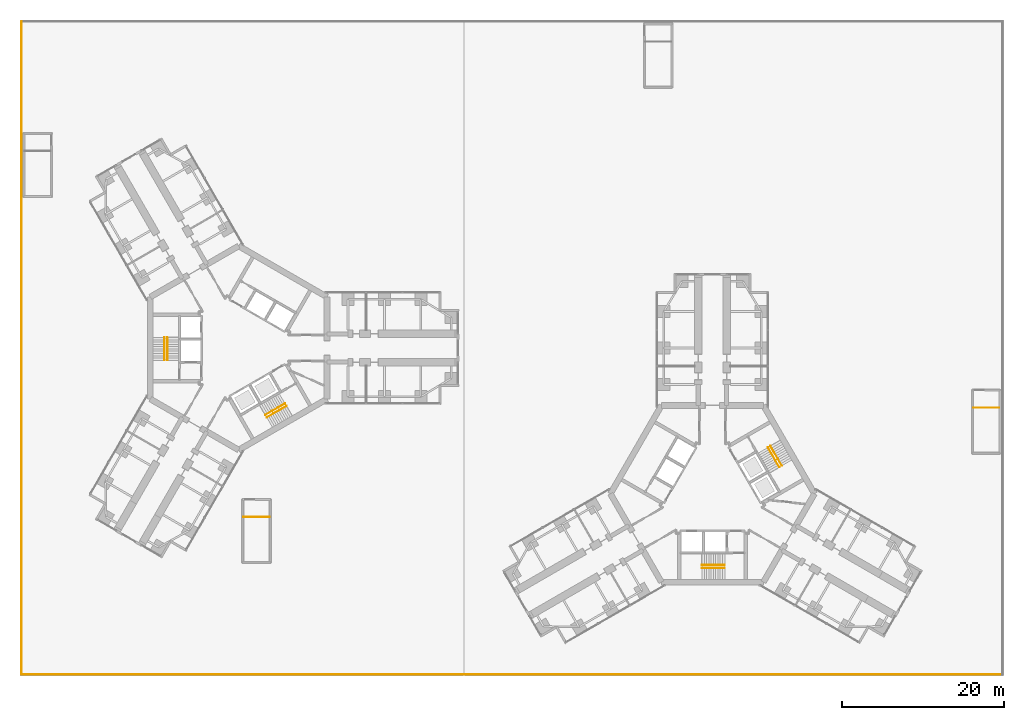
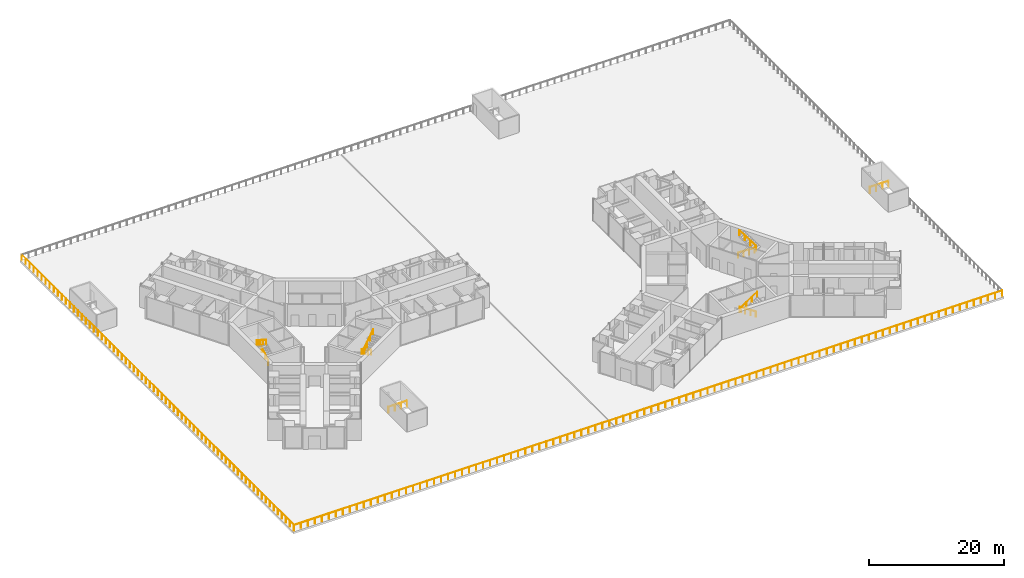
# One storey, part 21 of 23: 12 railings.
"""IFC4 building model written with IfcOpenShell, lengths in metres."""

from ifc_helpers import new_model, si_unit, direction, frame, origin, origin_2d, place, context, subcontext, project, spatial, circle, extrude, material, type_object, element, save


model = new_model("IFC4")

# Units and contexts
model_context = context("Model", 3, precision=1e-05, world=origin(), true_north=direction((0.0, 1.0)))
body_context = subcontext(model_context, "Body", "Model", "MODEL_VIEW")
ifc_project = project(units=[si_unit("LENGTHUNIT", "METRE"), si_unit("AREAUNIT", "SQUARE_METRE"), si_unit("VOLUMEUNIT", "CUBIC_METRE"), si_unit("PLANEANGLEUNIT", "RADIAN"), si_unit("MASSUNIT", "GRAM", prefix="KILO")], contexts=[model_context])

# Site, building, storey
site_placement = place(None, origin())
site = spatial("IfcSite", under=ifc_project, at=site_placement, CompositionType="ELEMENT")
building_placement = place(site_placement, origin())
building = spatial("IfcBuilding", under=site, at=building_placement, Name="Upepo Twin Towers", CompositionType="ELEMENT")
storey_placement = place(building_placement, frame((0.0, 0.0, 20.5)))
storey = spatial("IfcBuildingStorey", under=building, at=storey_placement, Name="L04", CompositionType="ELEMENT", Elevation=20.5)

# Railings
ifc_material_1 = material(Name="Stainless steel and glass", Category="steel")
railing_type_1 = type_object("IfcRailingType", Name="Guard 1100", PredefinedType="GUARDRAIL", material=ifc_material_1)
for number, where, name in (
    (1, (90.699951171875, -7.3798828125, 0.0), "PS2 head-house well guard"),
    (2, (0.60009765625, -20.8798828125, 0.0), "PS3 head-house well guard"),
):
    element("IfcRailing", number, at=place(storey_placement, frame(where)), inside=storey, type_object=railing_type_1, Name=name, PredefinedType="GUARDRAIL", context=body_context, shape_type="SweptSolid", body=[
        extrude(circle(Radius=0.02392578125, at=origin_2d()), frame((0.0, 0.0, 1.076171875), z_axis=(1.0, 0.0, 0.0), x_axis=(0.0, 1.0, 0.0)), (0.0, 0.0, 1.0), 3.199951171875),
        extrude(circle(Radius=0.02099609375, at=origin_2d()), origin(), (0.0, 0.0, 1.0), 1.052001953125),
        extrude(circle(Radius=0.02099609375, at=origin_2d()), frame((1.066650390625, 0.0, 0.0)), (0.0, 0.0, 1.0), 1.052001953125),
        extrude(circle(Radius=0.02099609375, at=origin_2d()), frame((2.13330078125, 0.0, 0.0)), (0.0, 0.0, 1.0), 1.052001953125),
        extrude(circle(Radius=0.02099609375, at=origin_2d()), frame((3.199951171875, 0.0, 0.0)), (0.0, 0.0, 1.0), 1.052001953125),
    ])
ifc_material_2 = material(Name="Stainless steel", Category="steel")
railing_type_2 = type_object("IfcRailingType", Name="Stair handrail 900", PredefinedType="HANDRAIL", material=ifc_material_2)
railing_1_placement = place(storey_placement, frame((-8.800048828125, -1.52001953125, 0.181884765625)))
element("IfcRailing", 3, at=railing_1_placement, inside=storey, type_object=railing_type_2, Name="T1 stair S1 L04 handrail 1", PredefinedType="HANDRAIL", context=body_context, shape_type="SweptSolid", body=[
    extrude(circle(Radius=0.02392578125, at=origin_2d()), frame((0.0, 0.0, 0.8759765625), z_axis=(0.0, 0.838705829183, 0.544584733623), x_axis=(-1.0, 0.0, 0.0)), (0.0, 0.0, 1.0), 3.338623046875),
    extrude(circle(Radius=0.02099609375, at=origin_2d()), origin(), (0.0, 0.0, 1.0), 0.851806640625),
    extrude(circle(Radius=0.02099609375, at=origin_2d()), frame((0.0, 0.933349609375, 0.60595703125)), (0.0, 0.0, 1.0), 0.851806640625),
    extrude(circle(Radius=0.02099609375, at=origin_2d()), frame((0.0, 1.86669921875, 1.212158203125)), (0.0, 0.0, 1.0), 0.851806640625),
    extrude(circle(Radius=0.02099609375, at=origin_2d()), frame((0.0, 2.800048828125, 1.818115234375)), (0.0, 0.0, 1.0), 0.851806640625),
])
railing_2_placement = place(storey_placement, frame((-9.158447265625, 1.280029296875, 2.181884765625)))
element("IfcRailing", 4, at=railing_2_placement, inside=storey, type_object=railing_type_2, Name="T1 stair S1 L04 handrail 2", PredefinedType="HANDRAIL", context=body_context, shape_type="SweptSolid", body=[
    extrude(circle(Radius=0.02392578125, at=origin_2d()), frame((0.0, 0.0, 0.8759765625), z_axis=(0.0, -0.838705829183, 0.544584733623), x_axis=(1.0, 0.0, 0.0)), (0.0, 0.0, 1.0), 3.338623046875),
    extrude(circle(Radius=0.02099609375, at=origin_2d()), origin(), (0.0, 0.0, 1.0), 0.851806640625),
    extrude(circle(Radius=0.02099609375, at=origin_2d()), frame((0.0, -0.933349609375, 0.60595703125)), (0.0, 0.0, 1.0), 0.851806640625),
    extrude(circle(Radius=0.02099609375, at=origin_2d()), frame((0.0, -1.86669921875, 1.212158203125)), (0.0, 0.0, 1.0), 0.851806640625),
    extrude(circle(Radius=0.02099609375, at=origin_2d()), frame((0.0, -2.800048828125, 1.818115234375)), (0.0, 0.0, 1.0), 0.851806640625),
])
railing_3_placement = place(storey_placement, frame((5.71630859375, -6.861083984375, 0.181884765625)))
element("IfcRailing", 5, at=railing_3_placement, inside=storey, type_object=railing_type_2, Name="T1 stair S2 L04 handrail 1", PredefinedType="HANDRAIL", context=body_context, shape_type="SweptSolid", body=[
    extrude(circle(Radius=0.02392578125, at=origin_2d()), frame((0.0, 0.0, 0.8759765625), z_axis=(-0.726336304947, -0.419332699614, 0.544605966869), x_axis=(0.49998411664, -0.866034573852, 0.0)), (0.0, 0.0, 1.0), 3.33837890625),
    extrude(circle(Radius=0.02099609375, at=origin_2d()), origin(), (0.0, 0.0, 1.0), 0.851806640625),
    extrude(circle(Radius=0.02099609375, at=origin_2d()), frame((-0.808349609375, -0.466552734375, 0.60595703125)), (0.0, 0.0, 1.0), 0.851806640625),
    extrude(circle(Radius=0.02099609375, at=origin_2d()), frame((-1.616455078125, -0.933349609375, 1.212158203125)), (0.0, 0.0, 1.0), 0.851806640625),
    extrude(circle(Radius=0.02099609375, at=origin_2d()), frame((-2.4248046875, -1.39990234375, 1.818115234375)), (0.0, 0.0, 1.0), 0.851806640625),
])
railing_4_placement = place(storey_placement, frame((3.470703125, -8.5712890625, 2.181884765625)))
element("IfcRailing", 6, at=railing_4_placement, inside=storey, type_object=railing_type_2, Name="T1 stair S2 L04 handrail 2", PredefinedType="HANDRAIL", context=body_context, shape_type="SweptSolid", body=[
    extrude(circle(Radius=0.02392578125, at=origin_2d()), frame((0.0, 0.0, 0.8759765625), z_axis=(0.726336304947, 0.419332699614, 0.544605966869), x_axis=(-0.49998411664, 0.866034573852, 0.0)), (0.0, 0.0, 1.0), 3.33837890625),
    extrude(circle(Radius=0.02099609375, at=origin_2d()), origin(), (0.0, 0.0, 1.0), 0.851806640625),
    extrude(circle(Radius=0.02099609375, at=origin_2d()), frame((0.808349609375, 0.466552734375, 0.60595703125)), (0.0, 0.0, 1.0), 0.851806640625),
    extrude(circle(Radius=0.02099609375, at=origin_2d()), frame((1.616455078125, 0.933349609375, 1.212158203125)), (0.0, 0.0, 1.0), 0.851806640625),
    extrude(circle(Radius=0.02099609375, at=origin_2d()), frame((2.4248046875, 1.39990234375, 1.818115234375)), (0.0, 0.0, 1.0), 0.851806640625),
])
railing_5_placement = place(storey_placement, frame((60.02001953125, -26.800048828125, 0.181884765625)))
element("IfcRailing", 7, at=railing_5_placement, inside=storey, type_object=railing_type_2, Name="T2 stair S1 L04 handrail 1", PredefinedType="HANDRAIL", context=body_context, shape_type="SweptSolid", body=[
    extrude(circle(Radius=0.02392578125, at=origin_2d()), frame((0.0, 0.0, 0.8759765625), z_axis=(-0.838705829183, 0.0, 0.544584733623), x_axis=(0.0, -1.0, 0.0)), (0.0, 0.0, 1.0), 3.338623046875),
    extrude(circle(Radius=0.02099609375, at=origin_2d()), origin(), (0.0, 0.0, 1.0), 0.851806640625),
    extrude(circle(Radius=0.02099609375, at=origin_2d()), frame((-0.933349609375, 0.0, 0.60595703125)), (0.0, 0.0, 1.0), 0.851806640625),
    extrude(circle(Radius=0.02099609375, at=origin_2d()), frame((-1.86669921875, 0.0, 1.212158203125)), (0.0, 0.0, 1.0), 0.851806640625),
    extrude(circle(Radius=0.02099609375, at=origin_2d()), frame((-2.800048828125, 0.0, 1.818115234375)), (0.0, 0.0, 1.0), 0.851806640625),
])
railing_6_placement = place(storey_placement, frame((57.219970703125, -27.158447265625, 2.181884765625)))
element("IfcRailing", 8, at=railing_6_placement, inside=storey, type_object=railing_type_2, Name="T2 stair S1 L04 handrail 2", PredefinedType="HANDRAIL", context=body_context, shape_type="SweptSolid", body=[
    extrude(circle(Radius=0.02392578125, at=origin_2d()), frame((0.0, 0.0, 0.8759765625), z_axis=(0.838705829183, 0.0, 0.544584733623), x_axis=(0.0, 1.0, 0.0)), (0.0, 0.0, 1.0), 3.338623046875),
    extrude(circle(Radius=0.02099609375, at=origin_2d()), origin(), (0.0, 0.0, 1.0), 0.851806640625),
    extrude(circle(Radius=0.02099609375, at=origin_2d()), frame((0.933349609375, 0.0, 0.60595703125)), (0.0, 0.0, 1.0), 0.851806640625),
    extrude(circle(Radius=0.02099609375, at=origin_2d()), frame((1.86669921875, 0.0, 1.212158203125)), (0.0, 0.0, 1.0), 0.851806640625),
    extrude(circle(Radius=0.02099609375, at=origin_2d()), frame((2.800048828125, 0.0, 1.818115234375)), (0.0, 0.0, 1.0), 0.851806640625),
])
railing_7_placement = place(storey_placement, frame((65.361083984375, -12.28369140625, 0.181884765625)))
element("IfcRailing", 9, at=railing_7_placement, inside=storey, type_object=railing_type_2, Name="T2 stair S2 L04 handrail 1", PredefinedType="HANDRAIL", context=body_context, shape_type="SweptSolid", body=[
    extrude(circle(Radius=0.02392578125, at=origin_2d()), frame((0.0, 0.0, 0.8759765625), z_axis=(0.419332699614, -0.726336304947, 0.544605966869), x_axis=(0.866034573852, 0.49998411664, 0.0)), (0.0, 0.0, 1.0), 3.33837890625),
    extrude(circle(Radius=0.02099609375, at=origin_2d()), origin(), (0.0, 0.0, 1.0), 0.851806640625),
    extrude(circle(Radius=0.02099609375, at=origin_2d()), frame((0.466552734375, -0.808349609375, 0.60595703125)), (0.0, 0.0, 1.0), 0.851806640625),
    extrude(circle(Radius=0.02099609375, at=origin_2d()), frame((0.933349609375, -1.616455078125, 1.212158203125)), (0.0, 0.0, 1.0), 0.851806640625),
    extrude(circle(Radius=0.02099609375, at=origin_2d()), frame((1.39990234375, -2.4248046875, 1.818115234375)), (0.0, 0.0, 1.0), 0.851806640625),
])
railing_8_placement = place(storey_placement, frame((67.0712890625, -14.529296875, 2.181884765625)))
element("IfcRailing", 10, at=railing_8_placement, inside=storey, type_object=railing_type_2, Name="T2 stair S2 L04 handrail 2", PredefinedType="HANDRAIL", context=body_context, shape_type="SweptSolid", body=[
    extrude(circle(Radius=0.02392578125, at=origin_2d()), frame((0.0, 0.0, 0.8759765625), z_axis=(-0.419332699614, 0.726336304947, 0.544605966869), x_axis=(-0.866034573852, -0.49998411664, 0.0)), (0.0, 0.0, 1.0), 3.33837890625),
    extrude(circle(Radius=0.02099609375, at=origin_2d()), origin(), (0.0, 0.0, 1.0), 0.851806640625),
    extrude(circle(Radius=0.02099609375, at=origin_2d()), frame((-0.466552734375, 0.808349609375, 0.60595703125)), (0.0, 0.0, 1.0), 0.851806640625),
    extrude(circle(Radius=0.02099609375, at=origin_2d()), frame((-0.933349609375, 1.616455078125, 1.212158203125)), (0.0, 0.0, 1.0), 0.851806640625),
    extrude(circle(Radius=0.02099609375, at=origin_2d()), frame((-1.39990234375, 2.4248046875, 1.818115234375)), (0.0, 0.0, 1.0), 0.851806640625),
])
ifc_material_3 = material(Name="Stainless steel and laminated glass", Category="steel")
railing_type_3 = type_object("IfcRailingType", Name="Terrace guard 1100 glass", PredefinedType="GUARDRAIL", material=ifc_material_3)
railing_9_placement = place(storey_placement, frame((-26.800048828125, -40.300048828125, 0.0)))
element("IfcRailing", 11, at=railing_9_placement, inside=storey, type_object=railing_type_3, Name="Podium roof guard S", PredefinedType="GUARDRAIL", context=body_context, shape_type="SweptSolid", body=[
    extrude(circle(Radius=0.02392578125, at=origin_2d()), frame((0.0, 0.0, 1.076171875), z_axis=(1.0, 0.0, 0.0), x_axis=(0.0, 1.0, 0.0)), (0.0, 0.0, 1.0), 121.10009765625),
    extrude(circle(Radius=0.02099609375, at=origin_2d()), origin(), (0.0, 0.0, 1.0), 1.052001953125),
    extrude(circle(Radius=0.02099609375, at=origin_2d()), frame((1.198974609375, 0.0, 0.0)), (0.0, 0.0, 1.0), 1.052001953125),
    extrude(circle(Radius=0.02099609375, at=origin_2d()), frame((2.39794921875, 0.0, 0.0)), (0.0, 0.0, 1.0), 1.052001953125),
    extrude(circle(Radius=0.02099609375, at=origin_2d()), frame((3.596923828125, 0.0, 0.0)), (0.0, 0.0, 1.0), 1.052001953125),
    extrude(circle(Radius=0.02099609375, at=origin_2d()), frame((4.796142578125, 0.0, 0.0)), (0.0, 0.0, 1.0), 1.052001953125),
    extrude(circle(Radius=0.02099609375, at=origin_2d()), frame((5.9951171875, 0.0, 0.0)), (0.0, 0.0, 1.0), 1.052001953125),
    extrude(circle(Radius=0.02099609375, at=origin_2d()), frame((7.194091796875, 0.0, 0.0)), (0.0, 0.0, 1.0), 1.052001953125),
    extrude(circle(Radius=0.02099609375, at=origin_2d()), frame((8.39306640625, 0.0, 0.0)), (0.0, 0.0, 1.0), 1.052001953125),
    extrude(circle(Radius=0.02099609375, at=origin_2d()), frame((9.592041015625, 0.0, 0.0)), (0.0, 0.0, 1.0), 1.052001953125),
    extrude(circle(Radius=0.02099609375, at=origin_2d()), frame((10.791015625, 0.0, 0.0)), (0.0, 0.0, 1.0), 1.052001953125),
    extrude(circle(Radius=0.02099609375, at=origin_2d()), frame((11.989990234375, 0.0, 0.0)), (0.0, 0.0, 1.0), 1.052001953125),
    extrude(circle(Radius=0.02099609375, at=origin_2d()), frame((13.189208984375, 0.0, 0.0)), (0.0, 0.0, 1.0), 1.052001953125),
    extrude(circle(Radius=0.02099609375, at=origin_2d()), frame((14.38818359375, 0.0, 0.0)), (0.0, 0.0, 1.0), 1.052001953125),
    extrude(circle(Radius=0.02099609375, at=origin_2d()), frame((15.587158203125, 0.0, 0.0)), (0.0, 0.0, 1.0), 1.052001953125),
    extrude(circle(Radius=0.02099609375, at=origin_2d()), frame((16.7861328125, 0.0, 0.0)), (0.0, 0.0, 1.0), 1.052001953125),
    extrude(circle(Radius=0.02099609375, at=origin_2d()), frame((17.985107421875, 0.0, 0.0)), (0.0, 0.0, 1.0), 1.052001953125),
    extrude(circle(Radius=0.02099609375, at=origin_2d()), frame((19.18408203125, 0.0, 0.0)), (0.0, 0.0, 1.0), 1.052001953125),
    extrude(circle(Radius=0.02099609375, at=origin_2d()), frame((20.38330078125, 0.0, 0.0)), (0.0, 0.0, 1.0), 1.052001953125),
    extrude(circle(Radius=0.02099609375, at=origin_2d()), frame((21.582275390625, 0.0, 0.0)), (0.0, 0.0, 1.0), 1.052001953125),
    extrude(circle(Radius=0.02099609375, at=origin_2d()), frame((22.78125, 0.0, 0.0)), (0.0, 0.0, 1.0), 1.052001953125),
    extrude(circle(Radius=0.02099609375, at=origin_2d()), frame((23.980224609375, 0.0, 0.0)), (0.0, 0.0, 1.0), 1.052001953125),
    extrude(circle(Radius=0.02099609375, at=origin_2d()), frame((25.17919921875, 0.0, 0.0)), (0.0, 0.0, 1.0), 1.052001953125),
    extrude(circle(Radius=0.02099609375, at=origin_2d()), frame((26.378173828125, 0.0, 0.0)), (0.0, 0.0, 1.0), 1.052001953125),
    extrude(circle(Radius=0.02099609375, at=origin_2d()), frame((27.5771484375, 0.0, 0.0)), (0.0, 0.0, 1.0), 1.052001953125),
    extrude(circle(Radius=0.02099609375, at=origin_2d()), frame((28.7763671875, 0.0, 0.0)), (0.0, 0.0, 1.0), 1.052001953125),
    extrude(circle(Radius=0.02099609375, at=origin_2d()), frame((29.975341796875, 0.0, 0.0)), (0.0, 0.0, 1.0), 1.052001953125),
    extrude(circle(Radius=0.02099609375, at=origin_2d()), frame((31.17431640625, 0.0, 0.0)), (0.0, 0.0, 1.0), 1.052001953125),
    extrude(circle(Radius=0.02099609375, at=origin_2d()), frame((32.373291015625, 0.0, 0.0)), (0.0, 0.0, 1.0), 1.052001953125),
    extrude(circle(Radius=0.02099609375, at=origin_2d()), frame((33.572265625, 0.0, 0.0)), (0.0, 0.0, 1.0), 1.052001953125),
    extrude(circle(Radius=0.02099609375, at=origin_2d()), frame((34.771240234375, 0.0, 0.0)), (0.0, 0.0, 1.0), 1.052001953125),
    extrude(circle(Radius=0.02099609375, at=origin_2d()), frame((35.97021484375, 0.0, 0.0)), (0.0, 0.0, 1.0), 1.052001953125),
    extrude(circle(Radius=0.02099609375, at=origin_2d()), frame((37.16943359375, 0.0, 0.0)), (0.0, 0.0, 1.0), 1.052001953125),
    extrude(circle(Radius=0.02099609375, at=origin_2d()), frame((38.368408203125, 0.0, 0.0)), (0.0, 0.0, 1.0), 1.052001953125),
    extrude(circle(Radius=0.02099609375, at=origin_2d()), frame((39.5673828125, 0.0, 0.0)), (0.0, 0.0, 1.0), 1.052001953125),
    extrude(circle(Radius=0.02099609375, at=origin_2d()), frame((40.766357421875, 0.0, 0.0)), (0.0, 0.0, 1.0), 1.052001953125),
    extrude(circle(Radius=0.02099609375, at=origin_2d()), frame((41.96533203125, 0.0, 0.0)), (0.0, 0.0, 1.0), 1.052001953125),
    extrude(circle(Radius=0.02099609375, at=origin_2d()), frame((43.164306640625, 0.0, 0.0)), (0.0, 0.0, 1.0), 1.052001953125),
    extrude(circle(Radius=0.02099609375, at=origin_2d()), frame((44.36328125, 0.0, 0.0)), (0.0, 0.0, 1.0), 1.052001953125),
    extrude(circle(Radius=0.02099609375, at=origin_2d()), frame((45.5625, 0.0, 0.0)), (0.0, 0.0, 1.0), 1.052001953125),
    extrude(circle(Radius=0.02099609375, at=origin_2d()), frame((46.761474609375, 0.0, 0.0)), (0.0, 0.0, 1.0), 1.052001953125),
    extrude(circle(Radius=0.02099609375, at=origin_2d()), frame((47.96044921875, 0.0, 0.0)), (0.0, 0.0, 1.0), 1.052001953125),
    extrude(circle(Radius=0.02099609375, at=origin_2d()), frame((49.159423828125, 0.0, 0.0)), (0.0, 0.0, 1.0), 1.052001953125),
    extrude(circle(Radius=0.02099609375, at=origin_2d()), frame((50.3583984375, 0.0, 0.0)), (0.0, 0.0, 1.0), 1.052001953125),
    extrude(circle(Radius=0.02099609375, at=origin_2d()), frame((51.557373046875, 0.0, 0.0)), (0.0, 0.0, 1.0), 1.052001953125),
    extrude(circle(Radius=0.02099609375, at=origin_2d()), frame((52.756591796875, 0.0, 0.0)), (0.0, 0.0, 1.0), 1.052001953125),
    extrude(circle(Radius=0.02099609375, at=origin_2d()), frame((53.95556640625, 0.0, 0.0)), (0.0, 0.0, 1.0), 1.052001953125),
    extrude(circle(Radius=0.02099609375, at=origin_2d()), frame((55.154541015625, 0.0, 0.0)), (0.0, 0.0, 1.0), 1.052001953125),
    extrude(circle(Radius=0.02099609375, at=origin_2d()), frame((56.353515625, 0.0, 0.0)), (0.0, 0.0, 1.0), 1.052001953125),
    extrude(circle(Radius=0.02099609375, at=origin_2d()), frame((57.552490234375, 0.0, 0.0)), (0.0, 0.0, 1.0), 1.052001953125),
    extrude(circle(Radius=0.02099609375, at=origin_2d()), frame((58.75146484375, 0.0, 0.0)), (0.0, 0.0, 1.0), 1.052001953125),
    extrude(circle(Radius=0.02099609375, at=origin_2d()), frame((59.950439453125, 0.0, 0.0)), (0.0, 0.0, 1.0), 1.052001953125),
    extrude(circle(Radius=0.02099609375, at=origin_2d()), frame((61.149658203125, 0.0, 0.0)), (0.0, 0.0, 1.0), 1.052001953125),
    extrude(circle(Radius=0.02099609375, at=origin_2d()), frame((62.3486328125, 0.0, 0.0)), (0.0, 0.0, 1.0), 1.052001953125),
    extrude(circle(Radius=0.02099609375, at=origin_2d()), frame((63.547607421875, 0.0, 0.0)), (0.0, 0.0, 1.0), 1.052001953125),
    extrude(circle(Radius=0.02099609375, at=origin_2d()), frame((64.74658203125, 0.0, 0.0)), (0.0, 0.0, 1.0), 1.052001953125),
    extrude(circle(Radius=0.02099609375, at=origin_2d()), frame((65.945556640625, 0.0, 0.0)), (0.0, 0.0, 1.0), 1.052001953125),
    extrude(circle(Radius=0.02099609375, at=origin_2d()), frame((67.14453125, 0.0, 0.0)), (0.0, 0.0, 1.0), 1.052001953125),
    extrude(circle(Radius=0.02099609375, at=origin_2d()), frame((68.343505859375, 0.0, 0.0)), (0.0, 0.0, 1.0), 1.052001953125),
    extrude(circle(Radius=0.02099609375, at=origin_2d()), frame((69.542724609375, 0.0, 0.0)), (0.0, 0.0, 1.0), 1.052001953125),
    extrude(circle(Radius=0.02099609375, at=origin_2d()), frame((70.74169921875, 0.0, 0.0)), (0.0, 0.0, 1.0), 1.052001953125),
    extrude(circle(Radius=0.02099609375, at=origin_2d()), frame((71.940673828125, 0.0, 0.0)), (0.0, 0.0, 1.0), 1.052001953125),
    extrude(circle(Radius=0.02099609375, at=origin_2d()), frame((73.1396484375, 0.0, 0.0)), (0.0, 0.0, 1.0), 1.052001953125),
    extrude(circle(Radius=0.02099609375, at=origin_2d()), frame((74.338623046875, 0.0, 0.0)), (0.0, 0.0, 1.0), 1.052001953125),
    extrude(circle(Radius=0.02099609375, at=origin_2d()), frame((75.53759765625, 0.0, 0.0)), (0.0, 0.0, 1.0), 1.052001953125),
    extrude(circle(Radius=0.02099609375, at=origin_2d()), frame((76.73681640625, 0.0, 0.0)), (0.0, 0.0, 1.0), 1.052001953125),
    extrude(circle(Radius=0.02099609375, at=origin_2d()), frame((77.935791015625, 0.0, 0.0)), (0.0, 0.0, 1.0), 1.052001953125),
    extrude(circle(Radius=0.02099609375, at=origin_2d()), frame((79.134765625, 0.0, 0.0)), (0.0, 0.0, 1.0), 1.052001953125),
    extrude(circle(Radius=0.02099609375, at=origin_2d()), frame((80.333740234375, 0.0, 0.0)), (0.0, 0.0, 1.0), 1.052001953125),
    extrude(circle(Radius=0.02099609375, at=origin_2d()), frame((81.53271484375, 0.0, 0.0)), (0.0, 0.0, 1.0), 1.052001953125),
    extrude(circle(Radius=0.02099609375, at=origin_2d()), frame((82.731689453125, 0.0, 0.0)), (0.0, 0.0, 1.0), 1.052001953125),
    extrude(circle(Radius=0.02099609375, at=origin_2d()), frame((83.9306640625, 0.0, 0.0)), (0.0, 0.0, 1.0), 1.052001953125),
    extrude(circle(Radius=0.02099609375, at=origin_2d()), frame((85.1298828125, 0.0, 0.0)), (0.0, 0.0, 1.0), 1.052001953125),
    extrude(circle(Radius=0.02099609375, at=origin_2d()), frame((86.328857421875, 0.0, 0.0)), (0.0, 0.0, 1.0), 1.052001953125),
    extrude(circle(Radius=0.02099609375, at=origin_2d()), frame((87.52783203125, 0.0, 0.0)), (0.0, 0.0, 1.0), 1.052001953125),
    extrude(circle(Radius=0.02099609375, at=origin_2d()), frame((88.726806640625, 0.0, 0.0)), (0.0, 0.0, 1.0), 1.052001953125),
    extrude(circle(Radius=0.02099609375, at=origin_2d()), frame((89.92578125, 0.0, 0.0)), (0.0, 0.0, 1.0), 1.052001953125),
    extrude(circle(Radius=0.02099609375, at=origin_2d()), frame((91.124755859375, 0.0, 0.0)), (0.0, 0.0, 1.0), 1.052001953125),
    extrude(circle(Radius=0.02099609375, at=origin_2d()), frame((92.32373046875, 0.0, 0.0)), (0.0, 0.0, 1.0), 1.052001953125),
    extrude(circle(Radius=0.02099609375, at=origin_2d()), frame((93.52294921875, 0.0, 0.0)), (0.0, 0.0, 1.0), 1.052001953125),
    extrude(circle(Radius=0.02099609375, at=origin_2d()), frame((94.721923828125, 0.0, 0.0)), (0.0, 0.0, 1.0), 1.052001953125),
    extrude(circle(Radius=0.02099609375, at=origin_2d()), frame((95.9208984375, 0.0, 0.0)), (0.0, 0.0, 1.0), 1.052001953125),
    extrude(circle(Radius=0.02099609375, at=origin_2d()), frame((97.119873046875, 0.0, 0.0)), (0.0, 0.0, 1.0), 1.052001953125),
    extrude(circle(Radius=0.02099609375, at=origin_2d()), frame((98.31884765625, 0.0, 0.0)), (0.0, 0.0, 1.0), 1.052001953125),
    extrude(circle(Radius=0.02099609375, at=origin_2d()), frame((99.517822265625, 0.0, 0.0)), (0.0, 0.0, 1.0), 1.052001953125),
    extrude(circle(Radius=0.02099609375, at=origin_2d()), frame((100.716796875, 0.0, 0.0)), (0.0, 0.0, 1.0), 1.052001953125),
    extrude(circle(Radius=0.02099609375, at=origin_2d()), frame((101.916015625, 0.0, 0.0)), (0.0, 0.0, 1.0), 1.052001953125),
    extrude(circle(Radius=0.02099609375, at=origin_2d()), frame((103.114990234375, 0.0, 0.0)), (0.0, 0.0, 1.0), 1.052001953125),
    extrude(circle(Radius=0.02099609375, at=origin_2d()), frame((104.31396484375, 0.0, 0.0)), (0.0, 0.0, 1.0), 1.052001953125),
    extrude(circle(Radius=0.02099609375, at=origin_2d()), frame((105.512939453125, 0.0, 0.0)), (0.0, 0.0, 1.0), 1.052001953125),
    extrude(circle(Radius=0.02099609375, at=origin_2d()), frame((106.7119140625, 0.0, 0.0)), (0.0, 0.0, 1.0), 1.052001953125),
    extrude(circle(Radius=0.02099609375, at=origin_2d()), frame((107.910888671875, 0.0, 0.0)), (0.0, 0.0, 1.0), 1.052001953125),
    extrude(circle(Radius=0.02099609375, at=origin_2d()), frame((109.110107421875, 0.0, 0.0)), (0.0, 0.0, 1.0), 1.052001953125),
    extrude(circle(Radius=0.02099609375, at=origin_2d()), frame((110.30908203125, 0.0, 0.0)), (0.0, 0.0, 1.0), 1.052001953125),
    extrude(circle(Radius=0.02099609375, at=origin_2d()), frame((111.508056640625, 0.0, 0.0)), (0.0, 0.0, 1.0), 1.052001953125),
    extrude(circle(Radius=0.02099609375, at=origin_2d()), frame((112.70703125, 0.0, 0.0)), (0.0, 0.0, 1.0), 1.052001953125),
    extrude(circle(Radius=0.02099609375, at=origin_2d()), frame((113.906005859375, 0.0, 0.0)), (0.0, 0.0, 1.0), 1.052001953125),
    extrude(circle(Radius=0.02099609375, at=origin_2d()), frame((115.10498046875, 0.0, 0.0)), (0.0, 0.0, 1.0), 1.052001953125),
    extrude(circle(Radius=0.02099609375, at=origin_2d()), frame((116.303955078125, 0.0, 0.0)), (0.0, 0.0, 1.0), 1.052001953125),
    extrude(circle(Radius=0.02099609375, at=origin_2d()), frame((117.503173828125, 0.0, 0.0)), (0.0, 0.0, 1.0), 1.052001953125),
    extrude(circle(Radius=0.02099609375, at=origin_2d()), frame((118.7021484375, 0.0, 0.0)), (0.0, 0.0, 1.0), 1.052001953125),
    extrude(circle(Radius=0.02099609375, at=origin_2d()), frame((119.901123046875, 0.0, 0.0)), (0.0, 0.0, 1.0), 1.052001953125),
    extrude(circle(Radius=0.02099609375, at=origin_2d()), frame((121.10009765625, 0.0, 0.0)), (0.0, 0.0, 1.0), 1.052001953125),
])
railing_10_placement = place(storey_placement, frame((-26.800048828125, 40.300048828125, 0.0)))
element("IfcRailing", 12, at=railing_10_placement, inside=storey, type_object=railing_type_3, Name="Podium roof guard W", PredefinedType="GUARDRAIL", context=body_context, shape_type="SweptSolid", body=[
    extrude(circle(Radius=0.02392578125, at=origin_2d()), frame((0.0, 0.0, 1.076171875), z_axis=(0.0, -1.0, 0.0), x_axis=(1.0, 0.0, 0.0)), (0.0, 0.0, 1.0), 80.60009765625),
    extrude(circle(Radius=0.02099609375, at=origin_2d()), origin(), (0.0, 0.0, 1.0), 1.052001953125),
    extrude(circle(Radius=0.02099609375, at=origin_2d()), frame((0.0, -1.185302734375, 0.0)), (0.0, 0.0, 1.0), 1.052001953125),
    extrude(circle(Radius=0.02099609375, at=origin_2d()), frame((0.0, -2.37060546875, 0.0)), (0.0, 0.0, 1.0), 1.052001953125),
    extrude(circle(Radius=0.02099609375, at=origin_2d()), frame((0.0, -3.555908203125, 0.0)), (0.0, 0.0, 1.0), 1.052001953125),
    extrude(circle(Radius=0.02099609375, at=origin_2d()), frame((0.0, -4.7412109375, 0.0)), (0.0, 0.0, 1.0), 1.052001953125),
    extrude(circle(Radius=0.02099609375, at=origin_2d()), frame((0.0, -5.926513671875, 0.0)), (0.0, 0.0, 1.0), 1.052001953125),
    extrude(circle(Radius=0.02099609375, at=origin_2d()), frame((0.0, -7.11181640625, 0.0)), (0.0, 0.0, 1.0), 1.052001953125),
    extrude(circle(Radius=0.02099609375, at=origin_2d()), frame((0.0, -8.297119140625, 0.0)), (0.0, 0.0, 1.0), 1.052001953125),
    extrude(circle(Radius=0.02099609375, at=origin_2d()), frame((0.0, -9.482421875, 0.0)), (0.0, 0.0, 1.0), 1.052001953125),
    extrude(circle(Radius=0.02099609375, at=origin_2d()), frame((0.0, -10.667724609375, 0.0)), (0.0, 0.0, 1.0), 1.052001953125),
    extrude(circle(Radius=0.02099609375, at=origin_2d()), frame((0.0, -11.85302734375, 0.0)), (0.0, 0.0, 1.0), 1.052001953125),
    extrude(circle(Radius=0.02099609375, at=origin_2d()), frame((0.0, -13.038330078125, 0.0)), (0.0, 0.0, 1.0), 1.052001953125),
    extrude(circle(Radius=0.02099609375, at=origin_2d()), frame((0.0, -14.2236328125, 0.0)), (0.0, 0.0, 1.0), 1.052001953125),
    extrude(circle(Radius=0.02099609375, at=origin_2d()), frame((0.0, -15.408935546875, 0.0)), (0.0, 0.0, 1.0), 1.052001953125),
    extrude(circle(Radius=0.02099609375, at=origin_2d()), frame((0.0, -16.59423828125, 0.0)), (0.0, 0.0, 1.0), 1.052001953125),
    extrude(circle(Radius=0.02099609375, at=origin_2d()), frame((0.0, -17.779541015625, 0.0)), (0.0, 0.0, 1.0), 1.052001953125),
    extrude(circle(Radius=0.02099609375, at=origin_2d()), frame((0.0, -18.96484375, 0.0)), (0.0, 0.0, 1.0), 1.052001953125),
    extrude(circle(Radius=0.02099609375, at=origin_2d()), frame((0.0, -20.14990234375, 0.0)), (0.0, 0.0, 1.0), 1.052001953125),
    extrude(circle(Radius=0.02099609375, at=origin_2d()), frame((0.0, -21.335205078125, 0.0)), (0.0, 0.0, 1.0), 1.052001953125),
    extrude(circle(Radius=0.02099609375, at=origin_2d()), frame((0.0, -22.5205078125, 0.0)), (0.0, 0.0, 1.0), 1.052001953125),
    extrude(circle(Radius=0.02099609375, at=origin_2d()), frame((0.0, -23.705810546875, 0.0)), (0.0, 0.0, 1.0), 1.052001953125),
    extrude(circle(Radius=0.02099609375, at=origin_2d()), frame((0.0, -24.89111328125, 0.0)), (0.0, 0.0, 1.0), 1.052001953125),
    extrude(circle(Radius=0.02099609375, at=origin_2d()), frame((0.0, -26.076416015625, 0.0)), (0.0, 0.0, 1.0), 1.052001953125),
    extrude(circle(Radius=0.02099609375, at=origin_2d()), frame((0.0, -27.26171875, 0.0)), (0.0, 0.0, 1.0), 1.052001953125),
    extrude(circle(Radius=0.02099609375, at=origin_2d()), frame((0.0, -28.447021484375, 0.0)), (0.0, 0.0, 1.0), 1.052001953125),
    extrude(circle(Radius=0.02099609375, at=origin_2d()), frame((0.0, -29.63232421875, 0.0)), (0.0, 0.0, 1.0), 1.052001953125),
    extrude(circle(Radius=0.02099609375, at=origin_2d()), frame((0.0, -30.817626953125, 0.0)), (0.0, 0.0, 1.0), 1.052001953125),
    extrude(circle(Radius=0.02099609375, at=origin_2d()), frame((0.0, -32.0029296875, 0.0)), (0.0, 0.0, 1.0), 1.052001953125),
    extrude(circle(Radius=0.02099609375, at=origin_2d()), frame((0.0, -33.188232421875, 0.0)), (0.0, 0.0, 1.0), 1.052001953125),
    extrude(circle(Radius=0.02099609375, at=origin_2d()), frame((0.0, -34.37353515625, 0.0)), (0.0, 0.0, 1.0), 1.052001953125),
    extrude(circle(Radius=0.02099609375, at=origin_2d()), frame((0.0, -35.558837890625, 0.0)), (0.0, 0.0, 1.0), 1.052001953125),
    extrude(circle(Radius=0.02099609375, at=origin_2d()), frame((0.0, -36.744140625, 0.0)), (0.0, 0.0, 1.0), 1.052001953125),
    extrude(circle(Radius=0.02099609375, at=origin_2d()), frame((0.0, -37.929443359375, 0.0)), (0.0, 0.0, 1.0), 1.052001953125),
    extrude(circle(Radius=0.02099609375, at=origin_2d()), frame((0.0, -39.11474609375, 0.0)), (0.0, 0.0, 1.0), 1.052001953125),
    extrude(circle(Radius=0.02099609375, at=origin_2d()), frame((0.0, -40.300048828125, 0.0)), (0.0, 0.0, 1.0), 1.052001953125),
    extrude(circle(Radius=0.02099609375, at=origin_2d()), frame((0.0, -41.4853515625, 0.0)), (0.0, 0.0, 1.0), 1.052001953125),
    extrude(circle(Radius=0.02099609375, at=origin_2d()), frame((0.0, -42.670654296875, 0.0)), (0.0, 0.0, 1.0), 1.052001953125),
    extrude(circle(Radius=0.02099609375, at=origin_2d()), frame((0.0, -43.85595703125, 0.0)), (0.0, 0.0, 1.0), 1.052001953125),
    extrude(circle(Radius=0.02099609375, at=origin_2d()), frame((0.0, -45.041259765625, 0.0)), (0.0, 0.0, 1.0), 1.052001953125),
    extrude(circle(Radius=0.02099609375, at=origin_2d()), frame((0.0, -46.2265625, 0.0)), (0.0, 0.0, 1.0), 1.052001953125),
    extrude(circle(Radius=0.02099609375, at=origin_2d()), frame((0.0, -47.411865234375, 0.0)), (0.0, 0.0, 1.0), 1.052001953125),
    extrude(circle(Radius=0.02099609375, at=origin_2d()), frame((0.0, -48.59716796875, 0.0)), (0.0, 0.0, 1.0), 1.052001953125),
    extrude(circle(Radius=0.02099609375, at=origin_2d()), frame((0.0, -49.782470703125, 0.0)), (0.0, 0.0, 1.0), 1.052001953125),
    extrude(circle(Radius=0.02099609375, at=origin_2d()), frame((0.0, -50.9677734375, 0.0)), (0.0, 0.0, 1.0), 1.052001953125),
    extrude(circle(Radius=0.02099609375, at=origin_2d()), frame((0.0, -52.153076171875, 0.0)), (0.0, 0.0, 1.0), 1.052001953125),
    extrude(circle(Radius=0.02099609375, at=origin_2d()), frame((0.0, -53.33837890625, 0.0)), (0.0, 0.0, 1.0), 1.052001953125),
    extrude(circle(Radius=0.02099609375, at=origin_2d()), frame((0.0, -54.523681640625, 0.0)), (0.0, 0.0, 1.0), 1.052001953125),
    extrude(circle(Radius=0.02099609375, at=origin_2d()), frame((0.0, -55.708984375, 0.0)), (0.0, 0.0, 1.0), 1.052001953125),
    extrude(circle(Radius=0.02099609375, at=origin_2d()), frame((0.0, -56.894287109375, 0.0)), (0.0, 0.0, 1.0), 1.052001953125),
    extrude(circle(Radius=0.02099609375, at=origin_2d()), frame((0.0, -58.07958984375, 0.0)), (0.0, 0.0, 1.0), 1.052001953125),
    extrude(circle(Radius=0.02099609375, at=origin_2d()), frame((0.0, -59.264892578125, 0.0)), (0.0, 0.0, 1.0), 1.052001953125),
    extrude(circle(Radius=0.02099609375, at=origin_2d()), frame((0.0, -60.4501953125, 0.0)), (0.0, 0.0, 1.0), 1.052001953125),
    extrude(circle(Radius=0.02099609375, at=origin_2d()), frame((0.0, -61.63525390625, 0.0)), (0.0, 0.0, 1.0), 1.052001953125),
    extrude(circle(Radius=0.02099609375, at=origin_2d()), frame((0.0, -62.820556640625, 0.0)), (0.0, 0.0, 1.0), 1.052001953125),
    extrude(circle(Radius=0.02099609375, at=origin_2d()), frame((0.0, -64.005859375, 0.0)), (0.0, 0.0, 1.0), 1.052001953125),
    extrude(circle(Radius=0.02099609375, at=origin_2d()), frame((0.0, -65.191162109375, 0.0)), (0.0, 0.0, 1.0), 1.052001953125),
    extrude(circle(Radius=0.02099609375, at=origin_2d()), frame((0.0, -66.37646484375, 0.0)), (0.0, 0.0, 1.0), 1.052001953125),
    extrude(circle(Radius=0.02099609375, at=origin_2d()), frame((0.0, -67.561767578125, 0.0)), (0.0, 0.0, 1.0), 1.052001953125),
    extrude(circle(Radius=0.02099609375, at=origin_2d()), frame((0.0, -68.7470703125, 0.0)), (0.0, 0.0, 1.0), 1.052001953125),
    extrude(circle(Radius=0.02099609375, at=origin_2d()), frame((0.0, -69.932373046875, 0.0)), (0.0, 0.0, 1.0), 1.052001953125),
    extrude(circle(Radius=0.02099609375, at=origin_2d()), frame((0.0, -71.11767578125, 0.0)), (0.0, 0.0, 1.0), 1.052001953125),
    extrude(circle(Radius=0.02099609375, at=origin_2d()), frame((0.0, -72.302978515625, 0.0)), (0.0, 0.0, 1.0), 1.052001953125),
    extrude(circle(Radius=0.02099609375, at=origin_2d()), frame((0.0, -73.48828125, 0.0)), (0.0, 0.0, 1.0), 1.052001953125),
    extrude(circle(Radius=0.02099609375, at=origin_2d()), frame((0.0, -74.673583984375, 0.0)), (0.0, 0.0, 1.0), 1.052001953125),
    extrude(circle(Radius=0.02099609375, at=origin_2d()), frame((0.0, -75.85888671875, 0.0)), (0.0, 0.0, 1.0), 1.052001953125),
    extrude(circle(Radius=0.02099609375, at=origin_2d()), frame((0.0, -77.044189453125, 0.0)), (0.0, 0.0, 1.0), 1.052001953125),
    extrude(circle(Radius=0.02099609375, at=origin_2d()), frame((0.0, -78.2294921875, 0.0)), (0.0, 0.0, 1.0), 1.052001953125),
    extrude(circle(Radius=0.02099609375, at=origin_2d()), frame((0.0, -79.414794921875, 0.0)), (0.0, 0.0, 1.0), 1.052001953125),
    extrude(circle(Radius=0.02099609375, at=origin_2d()), frame((0.0, -80.60009765625, 0.0)), (0.0, 0.0, 1.0), 1.052001953125),
])

save(model, "model.ifc")
